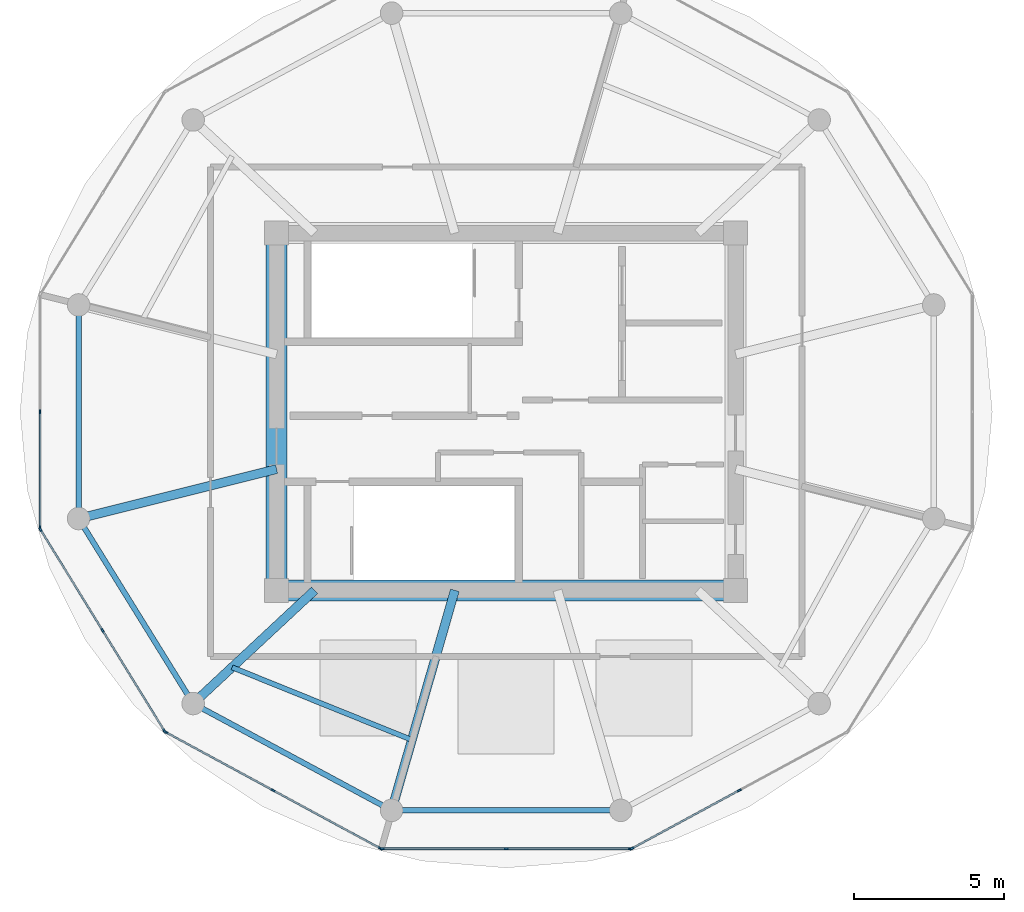
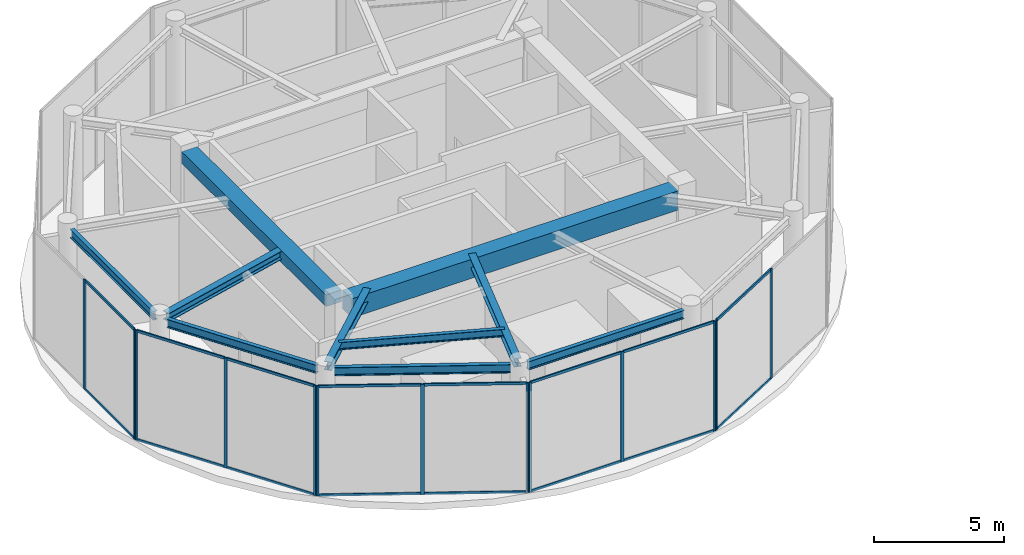
# One storey, part 2 of 15: 29 members, 10 beams, 5 elements without a shape of their own.
"""IFC4 building model written with IfcOpenShell, lengths in metres."""

from ifc_helpers import new_model, si_unit, direction, frame, origin, origin_2d, place, context, subcontext, project, spatial, rectangle, i_section, extrude, source, transform, mapped, material, layer, layer_set, material_profile, profile_set, type_object, type_shapes, element, aggregate, save


model = new_model("IFC4")

# Units and contexts
model_context = context("Model", 3, precision=1e-05, world=origin(), true_north=direction((0.0, 1.0)))
body_context = subcontext(model_context, "Body", "Model", "MODEL_VIEW")
ifc_project = project(units=[si_unit("LENGTHUNIT", "METRE"), si_unit("AREAUNIT", "SQUARE_METRE"), si_unit("VOLUMEUNIT", "CUBIC_METRE"), si_unit("PLANEANGLEUNIT", "RADIAN"), si_unit("MASSUNIT", "GRAM", prefix="KILO")], contexts=[model_context])

# Site, building, storey
site_placement = place(None, origin())
site = spatial("IfcSite", under=ifc_project, at=site_placement, CompositionType="ELEMENT")
building_placement = place(site_placement, origin())
building = spatial("IfcBuilding", under=site, at=building_placement, Name="Norrkilde Senior Care Towers", CompositionType="ELEMENT")
storey_placement = place(building_placement, frame((0.0, 0.0, 244.39990234375)))
storey = spatial("IfcBuildingStorey", under=building, at=storey_placement, Name="L76", CompositionType="ELEMENT", Elevation=244.39990234375)

# Beams
ifc_material_1 = material(Name="Concrete C60/75", Category="concrete")
ifc_material_profile_1 = material_profile(ifc_material_1, rectangle(XDim=0.699951171875, YDim=0.89990234375, at=origin_2d()), Name="RC BM 700x900")
ifc_profile_set_1 = profile_set([ifc_material_profile_1], Name="Concrete C60/75")
beam_type_1 = type_object("IfcBeamType", Name="Core Coupling Girder 700x900", PredefinedType="USERDEFINED", material=ifc_profile_set_1)
shared_shape_1 = source(origin(), body_context, "Body", "SweptSolid", [
    extrude(rectangle(XDim=0.699951171875, YDim=0.89990234375, at=origin_2d()), origin(), (0.0, 0.0, 1.0), 14.5400390625),
])
type_shapes(beam_type_1, [shared_shape_1])
beam_1_placement = place(storey_placement, frame((-35.27001953125, -5.949951171875, 4.72509765625), z_axis=(1.0, 0.0, 0.0), x_axis=(0.0, 1.0, 0.0)))
element("IfcBeam", 1, at=beam_1_placement, inside=storey, type_object=beam_type_1, Name="L76 Core W S Coupling Girder", ObjectType="GIRDER", PredefinedType="USERDEFINED", context=body_context, shape_type="MappedRepresentation", body=[
    mapped(shared_shape_1, transform((0.0, 0.0, 0.0), x_axis=(1.0, 0.0, 0.0), y_axis=(0.0, 1.0, 0.0), z_axis=(0.0, 0.0, 1.0), scale=1.0)),
])
ifc_material_profile_2 = material_profile(ifc_material_1, rectangle(XDim=0.699951171875, YDim=0.550048828125, at=origin_2d()), Name="RC BM 700x550")
ifc_profile_set_2 = profile_set([ifc_material_profile_2], Name="Concrete C60/75")
beam_type_2 = type_object("IfcBeamType", Name="Core Portal Coupling Beam 700x550", PredefinedType="USERDEFINED", material=ifc_profile_set_2)
shared_shape_2 = source(origin(), body_context, "Body", "SweptSolid", [
    extrude(rectangle(XDim=0.699951171875, YDim=0.550048828125, at=origin_2d()), origin(), (0.0, 0.0, 1.0), 11.14013671875),
])
type_shapes(beam_type_2, [shared_shape_2])
beam_2_placement = place(storey_placement, frame((-35.64990234375, -5.570068359375, 4.900146484375), z_axis=(0.0, 1.0, 0.0), x_axis=(-1.0, 0.0, 0.0)))
element("IfcBeam", 2, at=beam_2_placement, inside=storey, type_object=beam_type_2, Name="L76 Core W W Coupling Girder", ObjectType="GIRDER", PredefinedType="USERDEFINED", context=body_context, shape_type="MappedRepresentation", body=[
    mapped(shared_shape_2, transform((0.0, 0.0, 0.0), x_axis=(1.0, 0.0, 0.0), y_axis=(0.0, 1.0, 0.0), z_axis=(0.0, 0.0, 1.0), scale=1.0)),
])
ifc_material_2 = material(Name="Steel S355", Category="steel")
ifc_material_profile_3 = material_profile(ifc_material_2, i_section(OverallWidth=0.179931640625, OverallDepth=0.39990234375, WebThickness=0.008544921875, FlangeThickness=0.013427734375, FilletRadius=0.02099609375, at=origin_2d()), Name="IPE 400")
ifc_profile_set_3 = profile_set([ifc_material_profile_3], Name="Steel S355")
beam_type_3 = type_object("IfcBeamType", Name="Perimeter Ring Spandrel Z4 IPE400", PredefinedType="SPANDREL", material=ifc_profile_set_3)
shared_shape_3 = source(origin(), body_context, "Body", "SweptSolid", [
    extrude(i_section(OverallWidth=0.179931640625, OverallDepth=0.39990234375, WebThickness=0.008544921875, FlangeThickness=0.013427734375, FilletRadius=0.02099609375, at=origin_2d()), origin(), (0.0, 0.0, 1.0), 6.58056640625),
])
beam_3_placement = place(storey_placement, frame((-42.071044921875, -3.843505859375, 4.97509765625), z_axis=(0.526529583789, -0.850156807533, 0.0), x_axis=(0.850156807533, 0.526529583789, 0.0)))
element("IfcBeam", 3, at=beam_3_placement, inside=storey, type_object=beam_type_3, Name="L76 Drum W Perimeter Spandrel 07", PredefinedType="SPANDREL", context=body_context, shape_type="MappedRepresentation", body=[
    mapped(shared_shape_3, transform((0.0, 0.0, 0.0), x_axis=(1.0, 0.0, 0.0), y_axis=(0.0, 1.0, 0.0), z_axis=(0.0, 0.0, 1.0), scale=1.0)),
])
ifc_material_profile_4 = material_profile(ifc_material_2, i_section(OverallWidth=0.300048828125, OverallDepth=0.39990234375, WebThickness=0.013427734375, FlangeThickness=0.02392578125, FilletRadius=0.027099609375, at=origin_2d()), Name="HEB 400")
ifc_profile_set_4 = profile_set([ifc_material_profile_4], Name="Steel S355")
beam_type_4 = type_object("IfcBeamType", Name="Radial Floor Beam Z4 HEB400", PredefinedType="BEAM", material=ifc_profile_set_4)
shared_shape_4 = source(origin(), body_context, "Body", "SweptSolid", [
    extrude(i_section(OverallWidth=0.300048828125, OverallDepth=0.39990234375, WebThickness=0.013427734375, FlangeThickness=0.02392578125, FilletRadius=0.027099609375, at=origin_2d()), origin(), (0.0, 0.0, 1.0), 6.465087890625),
])
beam_4_placement = place(storey_placement, frame((-35.64990234375, -1.910888671875, 4.97509765625), z_axis=(-0.970195788563, -0.242322371758, 0.0), x_axis=(0.242322371758, -0.970195788563, 0.0)))
element("IfcBeam", 4, at=beam_4_placement, inside=storey, type_object=beam_type_4, Name="L76 Drum W Radial Floor Beam 07", PredefinedType="BEAM", context=body_context, shape_type="MappedRepresentation", body=[
    mapped(shared_shape_4, transform((0.0, 0.0, 0.0), x_axis=(1.0, 0.0, 0.0), y_axis=(0.0, 1.0, 0.0), z_axis=(0.0, 0.0, 1.0), scale=1.0)),
])
shared_shape_5 = source(origin(), body_context, "Body", "SweptSolid", [
    extrude(i_section(OverallWidth=0.179931640625, OverallDepth=0.39990234375, WebThickness=0.008544921875, FlangeThickness=0.013427734375, FilletRadius=0.02099609375, at=origin_2d()), origin(), (0.0, 0.0, 1.0), 6.839111328125),
])
beam_5_placement = place(storey_placement, frame((-38.134765625, -9.881591796875, 4.97509765625), z_axis=(0.880563930732, -0.473927382511, 0.0), x_axis=(0.473927382511, 0.880563930732, 0.0)))
element("IfcBeam", 5, at=beam_5_placement, inside=storey, type_object=beam_type_3, Name="L76 Drum W Perimeter Spandrel 08", PredefinedType="SPANDREL", context=body_context, shape_type="MappedRepresentation", body=[
    mapped(shared_shape_5, transform((0.0, 0.0, 0.0), x_axis=(1.0, 0.0, 0.0), y_axis=(0.0, 1.0, 0.0), z_axis=(0.0, 0.0, 1.0), scale=1.0)),
])
shared_shape_6 = source(origin(), body_context, "Body", "SweptSolid", [
    extrude(i_section(OverallWidth=0.300048828125, OverallDepth=0.39990234375, WebThickness=0.013427734375, FlangeThickness=0.02392578125, FilletRadius=0.027099609375, at=origin_2d()), origin(), (0.0, 0.0, 1.0), 5.197998046875),
])
beam_6_placement = place(storey_placement, frame((-34.3828125, -5.949951171875, 4.97509765625), z_axis=(-0.731448749334, -0.681896419625, 0.0), x_axis=(0.681896419625, -0.731448749334, 0.0)))
element("IfcBeam", 6, at=beam_6_placement, inside=storey, type_object=beam_type_4, Name="L76 Drum W Radial Floor Beam 08", PredefinedType="BEAM", context=body_context, shape_type="MappedRepresentation", body=[
    mapped(shared_shape_6, transform((0.0, 0.0, 0.0), x_axis=(1.0, 0.0, 0.0), y_axis=(0.0, 1.0, 0.0), z_axis=(0.0, 0.0, 1.0), scale=1.0)),
])
shared_shape_7 = source(origin(), body_context, "Body", "SweptSolid", [
    extrude(i_section(OverallWidth=0.179931640625, OverallDepth=0.39990234375, WebThickness=0.008544921875, FlangeThickness=0.013427734375, FilletRadius=0.02099609375, at=origin_2d()), origin(), (0.0, 0.0, 1.0), 6.96533203125),
])
beam_7_placement = place(storey_placement, frame((-31.482666015625, -13.281494140625, 4.97509765625), z_axis=(1.0, 0.0, 0.0), x_axis=(0.0, 1.0, 0.0)))
element("IfcBeam", 7, at=beam_7_placement, inside=storey, type_object=beam_type_3, Name="L76 Drum W Perimeter Spandrel 09", PredefinedType="SPANDREL", context=body_context, shape_type="MappedRepresentation", body=[
    mapped(shared_shape_7, transform((0.0, 0.0, 0.0), x_axis=(1.0, 0.0, 0.0), y_axis=(0.0, 1.0, 0.0), z_axis=(0.0, 0.0, 1.0), scale=1.0)),
])
shared_shape_8 = source(origin(), body_context, "Body", "SweptSolid", [
    extrude(i_section(OverallWidth=0.300048828125, OverallDepth=0.39990234375, WebThickness=0.013427734375, FlangeThickness=0.02392578125, FilletRadius=0.027099609375, at=origin_2d()), origin(), (0.0, 0.0, 1.0), 7.29345703125),
])
type_shapes(beam_type_4, [shared_shape_4, shared_shape_6, shared_shape_8])
beam_8_placement = place(storey_placement, frame((-29.710205078125, -5.949951171875, 4.97509765625), z_axis=(-0.276263751906, -0.961081858836, 0.0), x_axis=(0.961081858836, -0.276263751906, 0.0)))
element("IfcBeam", 8, at=beam_8_placement, inside=storey, type_object=beam_type_4, Name="L76 Drum W Radial Floor Beam 09", PredefinedType="BEAM", context=body_context, shape_type="MappedRepresentation", body=[
    mapped(shared_shape_8, transform((0.0, 0.0, 0.0), x_axis=(1.0, 0.0, 0.0), y_axis=(0.0, 1.0, 0.0), z_axis=(0.0, 0.0, 1.0), scale=1.0)),
])
shared_shape_9 = source(origin(), body_context, "Body", "SweptSolid", [
    extrude(i_section(OverallWidth=0.179931640625, OverallDepth=0.39990234375, WebThickness=0.008544921875, FlangeThickness=0.013427734375, FilletRadius=0.02099609375, at=origin_2d()), origin(), (0.0, 0.0, 1.0), 6.44775390625),
])
type_shapes(beam_type_3, [shared_shape_3, shared_shape_5, shared_shape_7, shared_shape_9])
beam_9_placement = place(storey_placement, frame((-42.247314453125, 3.223876953125, 4.97509765625), z_axis=(0.0, -1.0, 0.0), x_axis=(1.0, 0.0, 0.0)))
element("IfcBeam", 9, at=beam_9_placement, inside=storey, type_object=beam_type_3, Name="L76 Drum W Perimeter Spandrel 06", PredefinedType="SPANDREL", context=body_context, shape_type="MappedRepresentation", body=[
    mapped(shared_shape_9, transform((0.0, 0.0, 0.0), x_axis=(1.0, 0.0, 0.0), y_axis=(0.0, 1.0, 0.0), z_axis=(0.0, 0.0, 1.0), scale=1.0)),
])
ifc_material_profile_5 = material_profile(ifc_material_2, i_section(OverallWidth=0.169921875, OverallDepth=0.360107421875, WebThickness=0.008056640625, FlangeThickness=0.0126953125, FilletRadius=0.01806640625, at=origin_2d()), Name="IPE 360")
ifc_profile_set_5 = profile_set([ifc_material_profile_5], Name="Steel S355")
beam_type_5 = type_object("IfcBeamType", Name="Secondary Floor Joist IPE360", PredefinedType="JOIST", material=ifc_profile_set_5)
shared_shape_10 = source(origin(), body_context, "Body", "SweptSolid", [
    extrude(i_section(OverallWidth=0.169921875, OverallDepth=0.360107421875, WebThickness=0.008056640625, FlangeThickness=0.0126953125, FilletRadius=0.01806640625, at=origin_2d()), origin(), (0.0, 0.0, 1.0), 6.461669921875),
])
type_shapes(beam_type_5, [shared_shape_10])
beam_10_placement = place(storey_placement, frame((-37.134765625, -8.515380859375, 4.9951171875), z_axis=(0.927225942298, -0.374502405772, 0.0), x_axis=(0.374502405772, 0.927225942298, 0.0)))
element("IfcBeam", 10, at=beam_10_placement, inside=storey, type_object=beam_type_5, Name="L76 Drum W Secondary Floor Joist 3", PredefinedType="JOIST", context=body_context, shape_type="MappedRepresentation", body=[
    mapped(shared_shape_10, transform((0.0, 0.0, 0.0), x_axis=(1.0, 0.0, 0.0), y_axis=(0.0, 1.0, 0.0), z_axis=(0.0, 0.0, 1.0), scale=1.0)),
])

# Curtain wall, members
ifc_material_3 = material(Name="Triple Low-E Insulated Glazing", Category="glass")
ifc_layer = layer(ifc_material_3, 0.205078125)
ifc_layer_set = layer_set([ifc_layer], Name="Triple Low-E Insulated Glazing")
curtain_wall_type = type_object("IfcCurtainWallType", Name="CW7 L76 Damper Lantern Clear Curtain Wall", PredefinedType="NOTDEFINED", material=ifc_layer_set)
curtain_wall_1_placement = place(storey_placement, origin())
curtain_wall_1 = element("IfcCurtainWall", 11, at=curtain_wall_1_placement, inside=storey, type_object=curtain_wall_type, Name="L76 Drum W Curtain Wall 05", PredefinedType="NOTDEFINED")
ifc_material_4 = material(Name="Anodised Aluminium", Category="aluminium")
ifc_material_profile_6 = material_profile(ifc_material_4, rectangle(XDim=0.06005859375, YDim=0.139892578125, at=origin_2d()), Name="ALU MULL 60x140")
ifc_profile_set_6 = profile_set([ifc_material_profile_6], Name="Anodised Aluminium")
member_type_1 = type_object("IfcMemberType", Name="Curtain Wall Mullion Lantern 60x140", PredefinedType="MULLION", material=ifc_profile_set_6)
shared_shape_11 = source(origin(), body_context, "Body", "SweptSolid", [
    extrude(rectangle(XDim=0.06005859375, YDim=0.139892578125, at=origin_2d()), origin(), (0.0, 0.0, 1.0), 5.175048828125),
])
type_shapes(member_type_1, [shared_shape_11])
member_1_placement = place(storey_placement, frame((-43.531982421875, -3.873046875, 0.0), z_axis=(0.0, 0.0, 1.0), x_axis=(-1.0, 0.0, 0.0)))
member_1 = element("IfcMember", 12, at=member_1_placement, type_object=member_type_1, Name="CW-7 mullion 1", PredefinedType="MULLION", context=body_context, shape_type="MappedRepresentation", body=[
    mapped(shared_shape_11, transform((0.0, 0.0, 0.0), x_axis=(1.0, 0.0, 0.0), y_axis=(0.0, 1.0, 0.0), z_axis=(0.0, 0.0, 1.0), scale=1.0)),
])
member_2_placement = place(storey_placement, frame((-43.531982421875, 0.0, 0.0), z_axis=(0.0, 0.0, 1.0), x_axis=(-1.0, 0.0, 0.0)))
member_2 = element("IfcMember", 13, at=member_2_placement, type_object=member_type_1, Name="CW-7 mullion 2", PredefinedType="MULLION", context=body_context, shape_type="MappedRepresentation", body=[
    mapped(shared_shape_11, transform((0.0, 0.0, 0.0), x_axis=(1.0, 0.0, 0.0), y_axis=(0.0, 1.0, 0.0), z_axis=(0.0, 0.0, 1.0), scale=1.0)),
])

curtain_wall_2_placement = place(storey_placement, origin())
curtain_wall_2 = element("IfcCurtainWall", 14, at=curtain_wall_2_placement, inside=storey, type_object=curtain_wall_type, Name="L76 Drum W Curtain Wall 06", PredefinedType="NOTDEFINED")
member_3_placement = place(storey_placement, frame((-39.385986328125, -10.6376953125, 0.0), z_axis=(0.0, 0.0, 1.0), x_axis=(-0.851562727283, -0.524252726748, 0.0)))
member_3 = element("IfcMember", 15, at=member_3_placement, type_object=member_type_1, Name="CW-7 mullion 1", PredefinedType="MULLION", context=body_context, shape_type="MappedRepresentation", body=[
    mapped(shared_shape_11, transform((0.0, 0.0, 0.0), x_axis=(1.0, 0.0, 0.0), y_axis=(0.0, 1.0, 0.0), z_axis=(0.0, 0.0, 1.0), scale=1.0)),
])
member_4_placement = place(storey_placement, frame((-41.451171875, -7.282958984375, 0.0), z_axis=(0.0, 0.0, 1.0), x_axis=(-0.851562727283, -0.524252726748, 0.0)))
member_4 = element("IfcMember", 16, at=member_4_placement, type_object=member_type_1, Name="CW-7 mullion 2", PredefinedType="MULLION", context=body_context, shape_type="MappedRepresentation", body=[
    mapped(shared_shape_11, transform((0.0, 0.0, 0.0), x_axis=(1.0, 0.0, 0.0), y_axis=(0.0, 1.0, 0.0), z_axis=(0.0, 0.0, 1.0), scale=1.0)),
])
member_5_placement = place(storey_placement, frame((-43.516357421875, -3.928466796875, 0.0), z_axis=(0.0, 0.0, 1.0), x_axis=(-0.851562727283, -0.524252726748, 0.0)))
member_5 = element("IfcMember", 17, at=member_5_placement, type_object=member_type_1, Name="CW-7 mullion 3", PredefinedType="MULLION", context=body_context, shape_type="MappedRepresentation", body=[
    mapped(shared_shape_11, transform((0.0, 0.0, 0.0), x_axis=(1.0, 0.0, 0.0), y_axis=(0.0, 1.0, 0.0), z_axis=(0.0, 0.0, 1.0), scale=1.0)),
])

curtain_wall_3_placement = place(storey_placement, origin())
curtain_wall_3 = element("IfcCurtainWall", 18, at=curtain_wall_3_placement, inside=storey, type_object=curtain_wall_type, Name="L76 Drum W Curtain Wall 07", PredefinedType="NOTDEFINED")
member_6_placement = place(storey_placement, frame((-32.188232421875, -14.5517578125, 0.0), z_axis=(0.0, 0.0, 1.0), x_axis=(-0.476132676136, -0.879373455772, 0.0)))
member_6 = element("IfcMember", 19, at=member_6_placement, type_object=member_type_1, Name="CW-7 mullion 1", PredefinedType="MULLION", context=body_context, shape_type="MappedRepresentation", body=[
    mapped(shared_shape_11, transform((0.0, 0.0, 0.0), x_axis=(1.0, 0.0, 0.0), y_axis=(0.0, 1.0, 0.0), z_axis=(0.0, 0.0, 1.0), scale=1.0)),
])
member_7_placement = place(storey_placement, frame((-35.76611328125, -12.61474609375, 0.0), z_axis=(0.0, 0.0, 1.0), x_axis=(-0.476132676136, -0.879373455772, 0.0)))
member_7 = element("IfcMember", 20, at=member_7_placement, type_object=member_type_1, Name="CW-7 mullion 2", PredefinedType="MULLION", context=body_context, shape_type="MappedRepresentation", body=[
    mapped(shared_shape_11, transform((0.0, 0.0, 0.0), x_axis=(1.0, 0.0, 0.0), y_axis=(0.0, 1.0, 0.0), z_axis=(0.0, 0.0, 1.0), scale=1.0)),
])
member_8_placement = place(storey_placement, frame((-39.343994140625, -10.677490234375, 0.0), z_axis=(0.0, 0.0, 1.0), x_axis=(-0.476132676136, -0.879373455772, 0.0)))
member_8 = element("IfcMember", 21, at=member_8_placement, type_object=member_type_1, Name="CW-7 mullion 3", PredefinedType="MULLION", context=body_context, shape_type="MappedRepresentation", body=[
    mapped(shared_shape_11, transform((0.0, 0.0, 0.0), x_axis=(1.0, 0.0, 0.0), y_axis=(0.0, 1.0, 0.0), z_axis=(0.0, 0.0, 1.0), scale=1.0)),
])

curtain_wall_4_placement = place(storey_placement, origin())
curtain_wall_4 = element("IfcCurtainWall", 22, at=curtain_wall_4_placement, inside=storey, type_object=curtain_wall_type, Name="L76 Drum W Curtain Wall 08", PredefinedType="NOTDEFINED")
member_9_placement = place(storey_placement, frame((-23.8681640625, -14.566162109375, 0.0), z_axis=(0.0, 0.0, 1.0), x_axis=(0.0, -1.0, 0.0)))
member_9 = element("IfcMember", 23, at=member_9_placement, type_object=member_type_1, Name="CW-7 mullion 1", PredefinedType="MULLION", context=body_context, shape_type="MappedRepresentation", body=[
    mapped(shared_shape_11, transform((0.0, 0.0, 0.0), x_axis=(1.0, 0.0, 0.0), y_axis=(0.0, 1.0, 0.0), z_axis=(0.0, 0.0, 1.0), scale=1.0)),
])
member_10_placement = place(storey_placement, frame((-28.0, -14.566162109375, 0.0), z_axis=(0.0, 0.0, 1.0), x_axis=(0.0, -1.0, 0.0)))
member_10 = element("IfcMember", 24, at=member_10_placement, type_object=member_type_1, Name="CW-7 mullion 2", PredefinedType="MULLION", context=body_context, shape_type="MappedRepresentation", body=[
    mapped(shared_shape_11, transform((0.0, 0.0, 0.0), x_axis=(1.0, 0.0, 0.0), y_axis=(0.0, 1.0, 0.0), z_axis=(0.0, 0.0, 1.0), scale=1.0)),
])
member_11_placement = place(storey_placement, frame((-32.1318359375, -14.566162109375, 0.0), z_axis=(0.0, 0.0, 1.0), x_axis=(0.0, -1.0, 0.0)))
member_11 = element("IfcMember", 25, at=member_11_placement, type_object=member_type_1, Name="CW-7 mullion 3", PredefinedType="MULLION", context=body_context, shape_type="MappedRepresentation", body=[
    mapped(shared_shape_11, transform((0.0, 0.0, 0.0), x_axis=(1.0, 0.0, 0.0), y_axis=(0.0, 1.0, 0.0), z_axis=(0.0, 0.0, 1.0), scale=1.0)),
])

curtain_wall_5_placement = place(storey_placement, origin())
curtain_wall_5 = element("IfcCurtainWall", 26, at=curtain_wall_5_placement, inside=storey, type_object=curtain_wall_type, Name="L76 Drum W Curtain Wall 09", PredefinedType="NOTDEFINED")
member_12_placement = place(storey_placement, frame((-20.23388671875, -12.61474609375, 0.0), z_axis=(0.0, 0.0, 1.0), x_axis=(0.476132676136, -0.879373455772, 0.0)))
member_12 = element("IfcMember", 27, at=member_12_placement, type_object=member_type_1, Name="CW-7 mullion 2", PredefinedType="MULLION", context=body_context, shape_type="MappedRepresentation", body=[
    mapped(shared_shape_11, transform((0.0, 0.0, 0.0), x_axis=(1.0, 0.0, 0.0), y_axis=(0.0, 1.0, 0.0), z_axis=(0.0, 0.0, 1.0), scale=1.0)),
])
member_13_placement = place(storey_placement, frame((-23.811767578125, -14.5517578125, 0.0), z_axis=(0.0, 0.0, 1.0), x_axis=(0.476132676136, -0.879373455772, 0.0)))
member_13 = element("IfcMember", 28, at=member_13_placement, type_object=member_type_1, Name="CW-7 mullion 3", PredefinedType="MULLION", context=body_context, shape_type="MappedRepresentation", body=[
    mapped(shared_shape_11, transform((0.0, 0.0, 0.0), x_axis=(1.0, 0.0, 0.0), y_axis=(0.0, 1.0, 0.0), z_axis=(0.0, 0.0, 1.0), scale=1.0)),
])

# Member
ifc_material_profile_7 = material_profile(ifc_material_4, rectangle(XDim=0.06005859375, YDim=0.1201171875, at=origin_2d()), Name="ALU TRAN 60x120")
ifc_profile_set_7 = profile_set([ifc_material_profile_7], Name="Anodised Aluminium")
member_type_2 = type_object("IfcMemberType", Name="Curtain Wall Transom Typical 60x120", PredefinedType="USERDEFINED", material=ifc_profile_set_7)
shared_shape_12 = source(origin(), body_context, "Body", "SweptSolid", [
    extrude(rectangle(XDim=0.06005859375, YDim=0.1201171875, at=origin_2d()), origin(), (0.0, 0.0, 1.0), 3.87939453125),
])
member_14_placement = place(storey_placement, frame((-39.401611328125, -10.612060546875, 0.030029296875), z_axis=(-0.524290531189, 0.851539452348, 0.0), x_axis=(-0.851539452348, -0.524290531189, 0.0)))
member_14 = element("IfcMember", 29, at=member_14_placement, type_object=member_type_2, Name="CW-7 transom 1.1", ObjectType="TRANSOM", PredefinedType="USERDEFINED", context=body_context, shape_type="MappedRepresentation", body=[
    mapped(shared_shape_12, transform((0.0, 0.0, 0.0), x_axis=(1.0, 0.0, 0.0), y_axis=(0.0, 1.0, 0.0), z_axis=(0.0, 0.0, 1.0), scale=1.0)),
])

member_15_placement = place(storey_placement, frame((-39.401611328125, -10.612060546875, 5.14501953125), z_axis=(-0.524290531189, 0.851539452348, 0.0), x_axis=(-0.851539452348, -0.524290531189, 0.0)))
member_15 = element("IfcMember", 30, at=member_15_placement, type_object=member_type_2, Name="CW-7 transom 1.2", ObjectType="TRANSOM", PredefinedType="USERDEFINED", context=body_context, shape_type="MappedRepresentation", body=[
    mapped(shared_shape_12, transform((0.0, 0.0, 0.0), x_axis=(1.0, 0.0, 0.0), y_axis=(0.0, 1.0, 0.0), z_axis=(0.0, 0.0, 1.0), scale=1.0)),
])

member_16_placement = place(storey_placement, frame((-41.466796875, -7.257568359375, 0.030029296875), z_axis=(-0.524290531189, 0.851539452348, 0.0), x_axis=(-0.851539452348, -0.524290531189, 0.0)))
member_16 = element("IfcMember", 31, at=member_16_placement, type_object=member_type_2, Name="CW-7 transom 2.1", ObjectType="TRANSOM", PredefinedType="USERDEFINED", context=body_context, shape_type="MappedRepresentation", body=[
    mapped(shared_shape_12, transform((0.0, 0.0, 0.0), x_axis=(1.0, 0.0, 0.0), y_axis=(0.0, 1.0, 0.0), z_axis=(0.0, 0.0, 1.0), scale=1.0)),
])

member_17_placement = place(storey_placement, frame((-41.466796875, -7.257568359375, 5.14501953125), z_axis=(-0.524290531189, 0.851539452348, 0.0), x_axis=(-0.851539452348, -0.524290531189, 0.0)))
member_17 = element("IfcMember", 32, at=member_17_placement, type_object=member_type_2, Name="CW-7 transom 2.2", ObjectType="TRANSOM", PredefinedType="USERDEFINED", context=body_context, shape_type="MappedRepresentation", body=[
    mapped(shared_shape_12, transform((0.0, 0.0, 0.0), x_axis=(1.0, 0.0, 0.0), y_axis=(0.0, 1.0, 0.0), z_axis=(0.0, 0.0, 1.0), scale=1.0)),
])

aggregate(curtain_wall_2, [member_3, member_4, member_5, member_14, member_15, member_16, member_17])

shared_shape_13 = source(origin(), body_context, "Body", "SweptSolid", [
    extrude(rectangle(XDim=0.06005859375, YDim=0.1201171875, at=origin_2d()), origin(), (0.0, 0.0, 1.0), 4.0087890625),
])
member_18_placement = place(storey_placement, frame((-32.214599609375, -14.53759765625, 0.030029296875), z_axis=(-0.87937165888, 0.476135994815, 0.0), x_axis=(-0.476135994815, -0.87937165888, 0.0)))
member_18 = element("IfcMember", 33, at=member_18_placement, type_object=member_type_2, Name="CW-7 transom 1.1", ObjectType="TRANSOM", PredefinedType="USERDEFINED", context=body_context, shape_type="MappedRepresentation", body=[
    mapped(shared_shape_13, transform((0.0, 0.0, 0.0), x_axis=(1.0, 0.0, 0.0), y_axis=(0.0, 1.0, 0.0), z_axis=(0.0, 0.0, 1.0), scale=1.0)),
])

member_19_placement = place(storey_placement, frame((-32.214599609375, -14.53759765625, 5.14501953125), z_axis=(-0.87937165888, 0.476135994815, 0.0), x_axis=(-0.476135994815, -0.87937165888, 0.0)))
member_19 = element("IfcMember", 34, at=member_19_placement, type_object=member_type_2, Name="CW-7 transom 1.2", ObjectType="TRANSOM", PredefinedType="USERDEFINED", context=body_context, shape_type="MappedRepresentation", body=[
    mapped(shared_shape_13, transform((0.0, 0.0, 0.0), x_axis=(1.0, 0.0, 0.0), y_axis=(0.0, 1.0, 0.0), z_axis=(0.0, 0.0, 1.0), scale=1.0)),
])

member_20_placement = place(storey_placement, frame((-35.79248046875, -12.600341796875, 0.030029296875), z_axis=(-0.87937165888, 0.476135994815, 0.0), x_axis=(-0.476135994815, -0.87937165888, 0.0)))
member_20 = element("IfcMember", 35, at=member_20_placement, type_object=member_type_2, Name="CW-7 transom 2.1", ObjectType="TRANSOM", PredefinedType="USERDEFINED", context=body_context, shape_type="MappedRepresentation", body=[
    mapped(shared_shape_13, transform((0.0, 0.0, 0.0), x_axis=(1.0, 0.0, 0.0), y_axis=(0.0, 1.0, 0.0), z_axis=(0.0, 0.0, 1.0), scale=1.0)),
])

member_21_placement = place(storey_placement, frame((-35.79248046875, -12.600341796875, 5.14501953125), z_axis=(-0.87937165888, 0.476135994815, 0.0), x_axis=(-0.476135994815, -0.87937165888, 0.0)))
member_21 = element("IfcMember", 36, at=member_21_placement, type_object=member_type_2, Name="CW-7 transom 2.2", ObjectType="TRANSOM", PredefinedType="USERDEFINED", context=body_context, shape_type="MappedRepresentation", body=[
    mapped(shared_shape_13, transform((0.0, 0.0, 0.0), x_axis=(1.0, 0.0, 0.0), y_axis=(0.0, 1.0, 0.0), z_axis=(0.0, 0.0, 1.0), scale=1.0)),
])

aggregate(curtain_wall_3, [member_6, member_7, member_8, member_18, member_19, member_20, member_21])

member_22_placement = place(storey_placement, frame((-20.26025390625, -12.62890625, 0.030029296875), z_axis=(-0.87937165888, -0.476135994815, 0.0), x_axis=(0.476135994815, -0.87937165888, 0.0)))
member_22 = element("IfcMember", 37, at=member_22_placement, type_object=member_type_2, Name="CW-7 transom 2.1", ObjectType="TRANSOM", PredefinedType="USERDEFINED", context=body_context, shape_type="MappedRepresentation", body=[
    mapped(shared_shape_13, transform((0.0, 0.0, 0.0), x_axis=(1.0, 0.0, 0.0), y_axis=(0.0, 1.0, 0.0), z_axis=(0.0, 0.0, 1.0), scale=1.0)),
])

member_23_placement = place(storey_placement, frame((-20.26025390625, -12.62890625, 5.14501953125), z_axis=(-0.87937165888, -0.476135994815, 0.0), x_axis=(0.476135994815, -0.87937165888, 0.0)))
member_23 = element("IfcMember", 38, at=member_23_placement, type_object=member_type_2, Name="CW-7 transom 2.2", ObjectType="TRANSOM", PredefinedType="USERDEFINED", context=body_context, shape_type="MappedRepresentation", body=[
    mapped(shared_shape_13, transform((0.0, 0.0, 0.0), x_axis=(1.0, 0.0, 0.0), y_axis=(0.0, 1.0, 0.0), z_axis=(0.0, 0.0, 1.0), scale=1.0)),
])

aggregate(curtain_wall_5, [member_12, member_13, member_22, member_23])

shared_shape_14 = source(origin(), body_context, "Body", "SweptSolid", [
    extrude(rectangle(XDim=0.06005859375, YDim=0.1201171875, at=origin_2d()), origin(), (0.0, 0.0, 1.0), 4.07177734375),
])
member_24_placement = place(storey_placement, frame((-23.898193359375, -14.566162109375, 0.030029296875), z_axis=(-1.0, 0.0, 0.0), x_axis=(0.0, -1.0, 0.0)))
member_24 = element("IfcMember", 39, at=member_24_placement, type_object=member_type_2, Name="CW-7 transom 1.1", ObjectType="TRANSOM", PredefinedType="USERDEFINED", context=body_context, shape_type="MappedRepresentation", body=[
    mapped(shared_shape_14, transform((0.0, 0.0, 0.0), x_axis=(1.0, 0.0, 0.0), y_axis=(0.0, 1.0, 0.0), z_axis=(0.0, 0.0, 1.0), scale=1.0)),
])

member_25_placement = place(storey_placement, frame((-23.898193359375, -14.566162109375, 5.14501953125), z_axis=(-1.0, 0.0, 0.0), x_axis=(0.0, -1.0, 0.0)))
member_25 = element("IfcMember", 40, at=member_25_placement, type_object=member_type_2, Name="CW-7 transom 1.2", ObjectType="TRANSOM", PredefinedType="USERDEFINED", context=body_context, shape_type="MappedRepresentation", body=[
    mapped(shared_shape_14, transform((0.0, 0.0, 0.0), x_axis=(1.0, 0.0, 0.0), y_axis=(0.0, 1.0, 0.0), z_axis=(0.0, 0.0, 1.0), scale=1.0)),
])

member_26_placement = place(storey_placement, frame((-28.030029296875, -14.566162109375, 0.030029296875), z_axis=(-1.0, 0.0, 0.0), x_axis=(0.0, -1.0, 0.0)))
member_26 = element("IfcMember", 41, at=member_26_placement, type_object=member_type_2, Name="CW-7 transom 2.1", ObjectType="TRANSOM", PredefinedType="USERDEFINED", context=body_context, shape_type="MappedRepresentation", body=[
    mapped(shared_shape_14, transform((0.0, 0.0, 0.0), x_axis=(1.0, 0.0, 0.0), y_axis=(0.0, 1.0, 0.0), z_axis=(0.0, 0.0, 1.0), scale=1.0)),
])

member_27_placement = place(storey_placement, frame((-28.030029296875, -14.566162109375, 5.14501953125), z_axis=(-1.0, 0.0, 0.0), x_axis=(0.0, -1.0, 0.0)))
member_27 = element("IfcMember", 42, at=member_27_placement, type_object=member_type_2, Name="CW-7 transom 2.2", ObjectType="TRANSOM", PredefinedType="USERDEFINED", context=body_context, shape_type="MappedRepresentation", body=[
    mapped(shared_shape_14, transform((0.0, 0.0, 0.0), x_axis=(1.0, 0.0, 0.0), y_axis=(0.0, 1.0, 0.0), z_axis=(0.0, 0.0, 1.0), scale=1.0)),
])

aggregate(curtain_wall_4, [member_9, member_10, member_11, member_24, member_25, member_26, member_27])

shared_shape_15 = source(origin(), body_context, "Body", "SweptSolid", [
    extrude(rectangle(XDim=0.06005859375, YDim=0.1201171875, at=origin_2d()), origin(), (0.0, 0.0, 1.0), 3.81298828125),
])
type_shapes(member_type_2, [shared_shape_12, shared_shape_13, shared_shape_14, shared_shape_15])
member_28_placement = place(storey_placement, frame((-43.531982421875, -3.843017578125, 0.030029296875), z_axis=(0.0, 1.0, 0.0), x_axis=(-1.0, 0.0, 0.0)))
member_28 = element("IfcMember", 43, at=member_28_placement, type_object=member_type_2, Name="CW-7 transom 1.1", ObjectType="TRANSOM", PredefinedType="USERDEFINED", context=body_context, shape_type="MappedRepresentation", body=[
    mapped(shared_shape_15, transform((0.0, 0.0, 0.0), x_axis=(1.0, 0.0, 0.0), y_axis=(0.0, 1.0, 0.0), z_axis=(0.0, 0.0, 1.0), scale=1.0)),
])

member_29_placement = place(storey_placement, frame((-43.531982421875, -3.843017578125, 5.14501953125), z_axis=(0.0, 1.0, 0.0), x_axis=(-1.0, 0.0, 0.0)))
member_29 = element("IfcMember", 44, at=member_29_placement, type_object=member_type_2, Name="CW-7 transom 1.2", ObjectType="TRANSOM", PredefinedType="USERDEFINED", context=body_context, shape_type="MappedRepresentation", body=[
    mapped(shared_shape_15, transform((0.0, 0.0, 0.0), x_axis=(1.0, 0.0, 0.0), y_axis=(0.0, 1.0, 0.0), z_axis=(0.0, 0.0, 1.0), scale=1.0)),
])

aggregate(curtain_wall_1, [member_1, member_2, member_28, member_29])

save(model, "model.ifc")
